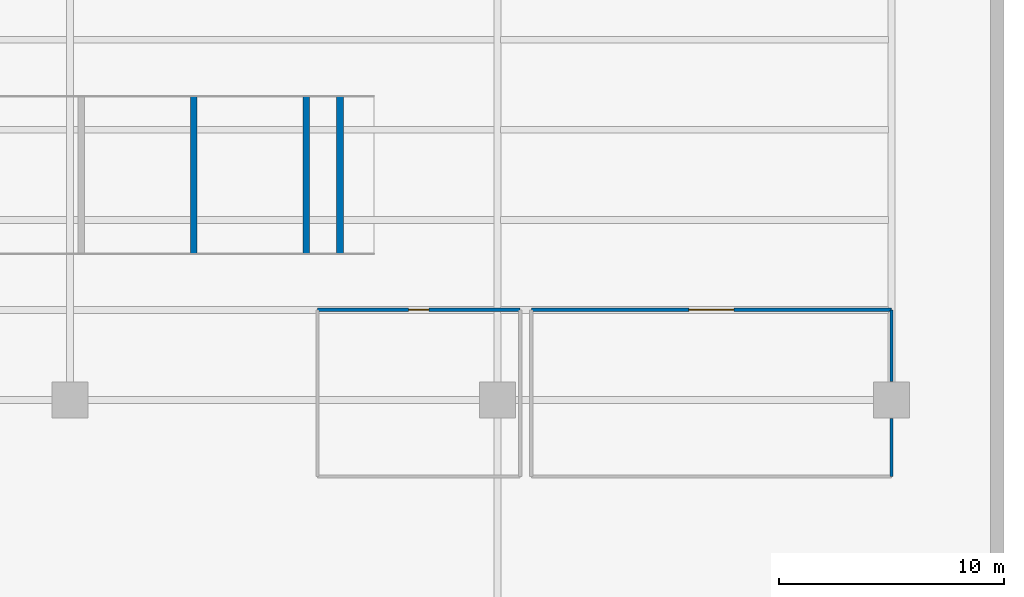
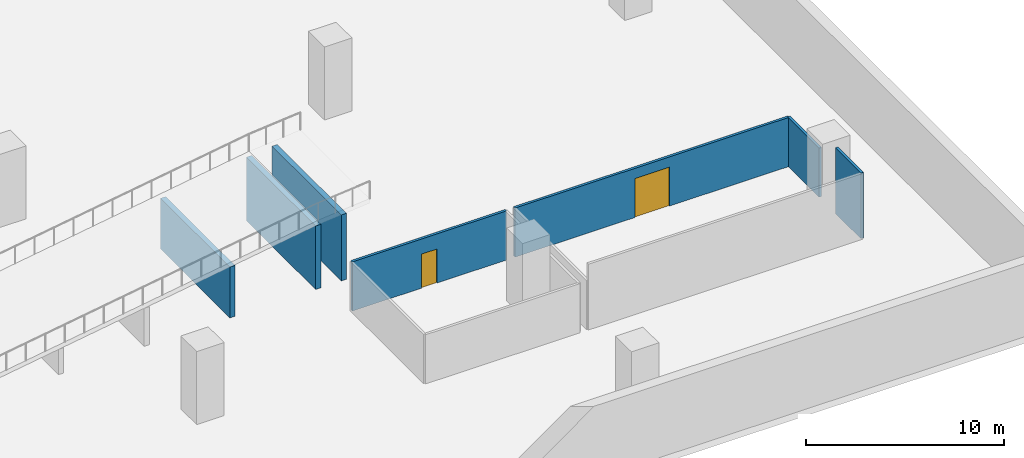
# One storey, part 5 of 11: 7 walls, 2 doors, 2 openings.
"""IFC4 building model written with IfcOpenShell, lengths in metres."""

import ifcopenshell
import ifcopenshell.guid

model = None  # the IFC model being written
_history = None  # IfcOwnerHistory: only IFC2X3 demands one
_inside = {}  # id of a spatial element -> (the spatial element, [elements in it])
_under = {}  # id of a project, library or spatial element -> (it, [spatial elements below it])
_declared = {}  # id of a project -> (the project, [libraries it declares])
_typed = {}  # id of a type object -> (the type object, [elements of that type])
_made_of = {}  # id of a material, layer set ... -> (it, [elements and type objects made of it])


def new_model(schema):
    """Start an empty IFC model of exactly this schema.

    Asked for "IFC4X3", IfcOpenShell would pick the latest addendum, in which some entities
    have other attributes; the version numbers below select the first issue.
    IFC2X3 requires an IfcOwnerHistory on every rooted entity: one is made here for all.
    """
    global model, _history
    if schema == "IFC4X3":
        model = ifcopenshell.file(schema_version=(4, 3, 0, 0))
    else:
        model = ifcopenshell.file(schema=schema)
    _inside.clear()
    _under.clear()
    _declared.clear()
    _typed.clear()
    _made_of.clear()
    _history = None
    if model.schema == "IFC2X3":
        org = make("IfcOrganization", Name="unknown")
        user = make(
            "IfcPersonAndOrganization",
            ThePerson=make("IfcPerson", FamilyName="unknown"),
            TheOrganization=org,
        )
        app = make(
            "IfcApplication",
            ApplicationDeveloper=org,
            Version="unknown",
            ApplicationFullName="unknown",
            ApplicationIdentifier="unknown",
        )
        _history = make(
            "IfcOwnerHistory",
            OwningUser=user,
            OwningApplication=app,
            ChangeAction="ADDED",
            CreationDate=0,
        )
    return model


def make(cls, **values):
    """One entity of the class cls with the attributes given. An attribute that is None is left unset."""
    return model.create_entity(
        cls, **{name: value for name, value in values.items() if value is not None}
    )


def rooted(cls, **values):
    """An entity with a GlobalId (a new one), such as an element, a storey or a relation."""
    return make(cls, GlobalId=ifcopenshell.guid.new(), OwnerHistory=_history, **values)


def si_unit(unit_type, name, prefix=None):
    """IfcSIUnit, for example si_unit("LENGTHUNIT", "METRE", prefix="MILLI")."""
    return make("IfcSIUnit", UnitType=unit_type, Prefix=prefix, Name=name)


def assignment(units):
    """IfcUnitAssignment: the units of a project."""
    return None if units is None else make("IfcUnitAssignment", Units=units)


def point(xyz):
    """IfcCartesianPoint."""
    return None if xyz is None else make("IfcCartesianPoint", Coordinates=xyz)


def direction(xyz):
    """IfcDirection."""
    return None if xyz is None else make("IfcDirection", DirectionRatios=xyz)


def frame(location, z_axis=None, x_axis=None):
    """IfcAxis2Placement3D, a coordinate frame: its origin and axes. An axis left out is left unset."""
    return make(
        "IfcAxis2Placement3D",
        Location=point(location),
        Axis=direction(z_axis),
        RefDirection=direction(x_axis),
    )


def frame_2d(location, x_axis=None):
    """IfcAxis2Placement2D, a coordinate frame in the plane: its origin and x axis."""
    return make(
        "IfcAxis2Placement2D", Location=point(location), RefDirection=direction(x_axis)
    )


def origin():
    """The frame at (0, 0, 0) with its axes left unset."""
    return frame((0.0, 0.0, 0.0))


def place(relative_to, where):
    """IfcLocalPlacement: puts the frame where relative to a parent placement (None: the world)."""
    return make(
        "IfcLocalPlacement", PlacementRelTo=relative_to, RelativePlacement=where
    )


def context(
    kind, dimensions, precision=None, world=None, true_north=None, identifier=None
):
    """IfcGeometricRepresentationContext, for example the 3D "Model" context."""
    return make(
        "IfcGeometricRepresentationContext",
        ContextIdentifier=identifier,
        ContextType=kind,
        CoordinateSpaceDimension=dimensions,
        Precision=precision,
        WorldCoordinateSystem=world,
        TrueNorth=true_north,
    )


def subcontext(parent, identifier, kind, view, scale=None):
    """IfcGeometricRepresentationSubContext, for example "Body" below "Model"."""
    return make(
        "IfcGeometricRepresentationSubContext",
        ContextIdentifier=identifier,
        ContextType=kind,
        ParentContext=parent,
        TargetScale=scale,
        TargetView=view,
    )


def project(units=None, contexts=None):
    """IfcProject with its units and contexts."""
    return rooted(
        "IfcProject",
        Name="project",
        RepresentationContexts=contexts,
        UnitsInContext=assignment(units),
    )


def spatial(cls, under=None, at=None, **own):
    """A site, building, storey or space (cls), placed at a placement, below another one or the project."""
    s = rooted(cls, ObjectPlacement=at, **own)
    if under is not None:
        _under.setdefault(under.id(), (under, []))[1].append(s)
    return s


def profile(cls, at=None, kind="AREA", **sizes):
    """A parametric profile (cls). Its sizes go by their IFC names, for example OverallWidth=200.0."""
    return make(cls, ProfileType=kind, Position=at, **sizes)


def rectangle(**sizes):
    """IfcRectangleProfileDef."""
    return profile("IfcRectangleProfileDef", **sizes)


def extrude(swept, where, along, depth):
    """IfcExtrudedAreaSolid: the profile swept, set in the frame where, extruded along a direction by depth."""
    return make(
        "IfcExtrudedAreaSolid",
        SweptArea=swept,
        Position=where,
        ExtrudedDirection=direction(along),
        Depth=depth,
    )


def shape(context_of_items, identifier, shape_type, items):
    """IfcShapeRepresentation: the items that make up one representation, for example the "Body"."""
    return make(
        "IfcShapeRepresentation",
        ContextOfItems=context_of_items,
        RepresentationIdentifier=identifier,
        RepresentationType=shape_type,
        Items=items,
    )


def material(Name=None, Category=None):
    """IfcMaterial."""
    return make("IfcMaterial", Name=Name, Category=Category)


def layer(
    of_material, thickness, ventilated=None, Name=None, Category=None, Priority=None
):
    """IfcMaterialLayer: one layer of a wall or slab, of a material (None: an air gap)."""
    return make(
        "IfcMaterialLayer",
        Material=of_material,
        LayerThickness=thickness,
        IsVentilated=ventilated,
        Name=Name,
        Category=Category,
        Priority=Priority,
    )


def layer_set(layers, Name=None):
    """IfcMaterialLayerSet."""
    return make("IfcMaterialLayerSet", MaterialLayers=layers, LayerSetName=Name)


def made_of(thing, what):
    """Note that an element or type object is made of a material, layer set ...; save() writes the relation."""
    if what is not None:
        _made_of.setdefault(what.id(), (what, []))[1].append(thing)
    return thing


def type_object(cls, material=None, **own):
    """A type object (cls), such as IfcWallType, which elements share."""
    return made_of(rooted(cls, **own), material)


def element(
    cls,
    number,
    at=None,
    inside=None,
    cuts=None,
    type_object=None,
    material=None,
    context=None,
    identifier="Body",
    shape_type=None,
    held_by="IfcProductDefinitionShape",
    body=None,
    shapes=None,
    **own,
):
    """One element of the class cls, such as IfcWall. Its Tag is "e" and its number.

    at: its placement. inside: the storey or other place that contains it. cuts: it is an
    opening in that element (IfcRelVoidsElement). A single representation is given by context,
    identifier, shape_type and body (its items); several are given by shapes. held_by: the class
    of the entity that holds the representations. save() writes the other relations.
    """
    e = rooted(cls, Tag="e%d" % number, ObjectPlacement=at, **own)
    if body is not None:
        shapes = [shape(context, identifier, shape_type, body)]
    if shapes is not None:
        e.Representation = make(held_by, Representations=shapes)
    if inside is not None:
        _inside.setdefault(inside.id(), (inside, []))[1].append(e)
    if cuts is not None:
        rooted(
            "IfcRelVoidsElement", RelatingBuildingElement=cuts, RelatedOpeningElement=e
        )
    if type_object is not None:
        _typed.setdefault(type_object.id(), (type_object, []))[1].append(e)
    return made_of(e, material)


def fill(opening, filler):
    """IfcRelFillsElement: the door or window that sits in an opening."""
    return rooted(
        "IfcRelFillsElement",
        RelatingOpeningElement=opening,
        RelatedBuildingElement=filler,
    )


def aggregate(whole, parts):
    """IfcRelAggregates: a whole, such as a stair, and the parts it consists of."""
    return rooted("IfcRelAggregates", RelatingObject=whole, RelatedObjects=parts)


def save(model, path):
    """Write the relations noted so far, then the file.

    IfcRelAggregates (storeys below a building ...), IfcRelContainedInSpatialStructure (elements
    in a storey), IfcRelDefinesByType, IfcRelAssociatesMaterial and IfcRelDeclares: one each for
    every whole, place, type object, material and project.
    """
    for whole, parts in _under.values():
        aggregate(whole, parts)
    for where, things in _inside.values():
        rooted(
            "IfcRelContainedInSpatialStructure",
            RelatedElements=things,
            RelatingStructure=where,
        )
    for kind, things in _typed.values():
        rooted("IfcRelDefinesByType", RelatedObjects=things, RelatingType=kind)
    for what, things in _made_of.values():
        rooted("IfcRelAssociatesMaterial", RelatedObjects=things, RelatingMaterial=what)
    for by, libraries in _declared.values():
        rooted("IfcRelDeclares", RelatingContext=by, RelatedDefinitions=libraries)
    model.write(path)


model = new_model("IFC4")

# Units and contexts
model_context = context("Model", 3, precision=1e-05, world=origin(), true_north=direction((0.0, 1.0)))
body_context = subcontext(model_context, "Body", "Model", "MODEL_VIEW")
ifc_project = project(units=[si_unit("LENGTHUNIT", "METRE"), si_unit("AREAUNIT", "SQUARE_METRE"), si_unit("VOLUMEUNIT", "CUBIC_METRE"), si_unit("PLANEANGLEUNIT", "RADIAN"), si_unit("MASSUNIT", "GRAM", prefix="KILO")], contexts=[model_context])

# Site, building, storey
site_placement = place(None, origin())
site = spatial("IfcSite", under=ifc_project, at=site_placement, CompositionType="ELEMENT")
building_placement = place(site_placement, origin())
building = spatial("IfcBuilding", under=site, at=building_placement, Name="Tel Ilan Convention Tower", CompositionType="ELEMENT")
storey_placement = place(building_placement, frame((0.0, 0.0, -4.5)))
storey = spatial("IfcBuildingStorey", under=building, at=storey_placement, Name="B1", CompositionType="ELEMENT", Elevation=-4.5)

# Wall, opening, door
ifc_material_1 = material(Name="Plasterboard on Steel Studs", Category="steel")
ifc_layer_1 = layer(ifc_material_1, 0.14990234375)
ifc_layer_set_1 = layer_set([ifc_layer_1], Name="Fire-rated Partition 150 EI 60")
wall_type_1 = type_object("IfcWallType", Name="Fire-rated Partition 150 EI 60", PredefinedType="PARTITIONING", material=ifc_layer_set_1)
wall_1_placement = place(storey_placement, frame((46.0, -63.9990234375, 0.0), z_axis=(0.0, 0.0, 1.0), x_axis=(-1.0, 0.0, 0.0)))
wall_1 = element("IfcWall", 1, at=wall_1_placement, inside=storey, type_object=wall_type_1, Name="Partition 001", PredefinedType="PARTITIONING", context=body_context, shape_type="SweptSolid", body=[
    extrude(rectangle(XDim=16.0, YDim=0.14990234375, at=frame_2d((8.0, 0.0))), origin(), (0.0, 0.0, 1.0), 3.030029296875),
])
opening_1_placement = place(wall_1_placement, frame((7.0, 0.0, 0.0)))
opening_1 = element("IfcOpeningElement", 2, at=opening_1_placement, cuts=wall_1, Name="Opening B1-001", PredefinedType="OPENING", context=body_context, shape_type="SweptSolid", body=[
    extrude(rectangle(XDim=2.0, YDim=2.39990234375, at=frame_2d((1.0, 1.199951171875))), frame((0.0, 0.0849609375, 0.0), z_axis=(0.0, -1.0, 0.0), x_axis=(1.0, 0.0, 0.0)), (0.0, 0.0, 1.0), 0.169921875),
])
ifc_material_2 = material(Name="Timber Door Leaf in Steel Frame", Category="steel")
door_type_1 = type_object("IfcDoorType", Name="Assembly Hall Double Fire Door 2000x2400", OperationType="NOTDEFINED", PredefinedType="DOOR", material=ifc_material_2)
door_1_placement = place(opening_1_placement, origin())
door_1 = element("IfcDoor", 3, at=door_1_placement, inside=storey, type_object=door_type_1, Name="Door B1-001", OperationType="DOUBLE_DOOR_SINGLE_SWING", OverallHeight=2.39990234375, OverallWidth=2.0, PredefinedType="DOOR", context=body_context, shape_type="SweptSolid", body=[
    extrude(rectangle(XDim=2.0, YDim=2.39990234375, at=frame_2d((1.0, 1.199951171875))), frame((0.0, 0.02490234375, 0.0), z_axis=(0.0, -1.0, 0.0), x_axis=(1.0, 0.0, 0.0)), (0.0, 0.0, 1.0), 0.050048828125),
])
fill(opening_1, door_1)

# Walls
wall_2_placement = place(storey_placement, frame((46.0009765625, -71.39990234375, 0.0), z_axis=(0.0, 0.0, 1.0), x_axis=(0.0, 1.0, 0.0)))
element("IfcWall", 4, at=wall_2_placement, inside=storey, type_object=wall_type_1, Name="Partition 004", PredefinedType="PARTITIONING", context=body_context, shape_type="SweptSolid", body=[
    extrude(rectangle(XDim=2.579833984375, YDim=0.14990234375, at=frame_2d((1.2900390625, 0.0))), origin(), (0.0, 0.0, 1.0), 4.050048828125),
])
wall_3_placement = place(storey_placement, frame((46.0009765625, -67.179931640625, 0.0), z_axis=(0.0, 0.0, 1.0), x_axis=(0.0, 1.0, 0.0)))
element("IfcWall", 5, at=wall_3_placement, inside=storey, type_object=wall_type_1, Name="Partition 005", PredefinedType="PARTITIONING", context=body_context, shape_type="SweptSolid", body=[
    extrude(rectangle(XDim=3.179931640625, YDim=0.14990234375, at=frame_2d((1.58984375, 0.0))), origin(), (0.0, 0.0, 1.0), 3.030029296875),
])

# Wall, opening, door
wall_4_placement = place(storey_placement, frame((29.5, -63.9990234375, 0.0), z_axis=(0.0, 0.0, 1.0), x_axis=(-1.0, 0.0, 0.0)))
wall_4 = element("IfcWall", 6, at=wall_4_placement, inside=storey, type_object=wall_type_1, Name="Partition 006", PredefinedType="PARTITIONING", context=body_context, shape_type="SweptSolid", body=[
    extrude(rectangle(XDim=9.0, YDim=0.14990234375, at=frame_2d((4.5, 0.0))), origin(), (0.0, 0.0, 1.0), 3.030029296875),
])
opening_2_placement = place(wall_4_placement, frame((4.050048828125, 0.0, 0.0)))
opening_2 = element("IfcOpeningElement", 7, at=opening_2_placement, cuts=wall_4, Name="Opening B1-002", PredefinedType="OPENING", context=body_context, shape_type="SweptSolid", body=[
    extrude(rectangle(XDim=0.89990234375, YDim=2.10009765625, at=frame_2d((0.449951171875, 1.050048828125))), frame((0.0, 0.0849609375, 0.0), z_axis=(0.0, -1.0, 0.0), x_axis=(1.0, 0.0, 0.0)), (0.0, 0.0, 1.0), 0.169921875),
])
ifc_material_3 = material(Name="Timber Door Leaf in Steel Frame", Category="steel")
door_type_2 = type_object("IfcDoorType", Name="Riser and Service Fire Door 900x2100", OperationType="NOTDEFINED", PredefinedType="DOOR", material=ifc_material_3)
door_2_placement = place(opening_2_placement, origin())
door_2 = element("IfcDoor", 8, at=door_2_placement, inside=storey, type_object=door_type_2, Name="Door B1-002", OperationType="SINGLE_SWING_LEFT", OverallHeight=2.10009765625, OverallWidth=0.89990234375, PredefinedType="DOOR", context=body_context, shape_type="SweptSolid", body=[
    extrude(rectangle(XDim=0.89990234375, YDim=2.10009765625, at=frame_2d((0.449951171875, 1.050048828125))), frame((0.0, 0.02490234375, 0.0), z_axis=(0.0, -1.0, 0.0), x_axis=(1.0, 0.0, 0.0)), (0.0, 0.0, 1.0), 0.050048828125),
])
fill(opening_2, door_2)

# Walls
ifc_material_4 = material(Name="Concrete C40/50", Category="concrete")
ifc_layer_2 = layer(ifc_material_4, 0.300048828125)
ifc_layer_set_2 = layer_set([ifc_layer_2], Name="Ramp Cross Wall 300 mm Concrete C40/50")
wall_type_2 = type_object("IfcWallType", Name="Ramp Cross Wall 300 mm Concrete C40/50", PredefinedType="SOLIDWALL", material=ifc_layer_set_2)
wall_5_placement = place(storey_placement, frame((15.0, -61.5, 0.0), z_axis=(0.0, 0.0, 1.0), x_axis=(0.0, 1.0, 0.0)))
element("IfcWall", 9, at=wall_5_placement, inside=storey, type_object=wall_type_2, Name="Car Park Ramp B1-L00 cross wall 4", PredefinedType="SOLIDWALL", context=body_context, shape_type="SweptSolid", body=[
    extrude(rectangle(XDim=7.0, YDim=0.300048828125, at=frame_2d((3.5, 0.0))), origin(), (0.0, 0.0, 1.0), 3.12841796875),
])
wall_6_placement = place(storey_placement, frame((20.0, -61.5, 0.0), z_axis=(0.0, 0.0, 1.0), x_axis=(0.0, 1.0, 0.0)))
element("IfcWall", 10, at=wall_6_placement, inside=storey, type_object=wall_type_2, Name="Car Park Ramp B1-L00 cross wall 5", PredefinedType="SOLIDWALL", context=body_context, shape_type="SweptSolid", body=[
    extrude(rectangle(XDim=7.0, YDim=0.300048828125, at=frame_2d((3.5, 0.0))), origin(), (0.0, 0.0, 1.0), 3.91650390625),
])
wall_7_placement = place(storey_placement, frame((21.5, -61.5, 0.0), z_axis=(0.0, 0.0, 1.0), x_axis=(0.0, 1.0, 0.0)))
element("IfcWall", 11, at=wall_7_placement, inside=storey, type_object=wall_type_2, Name="Car Park Ramp B1-L00 cross wall 6", PredefinedType="SOLIDWALL", context=body_context, shape_type="SweptSolid", body=[
    extrude(rectangle(XDim=7.0, YDim=0.300048828125, at=frame_2d((3.5, 0.0))), origin(), (0.0, 0.0, 1.0), 4.06591796875),
])

save(model, "model.ifc")
